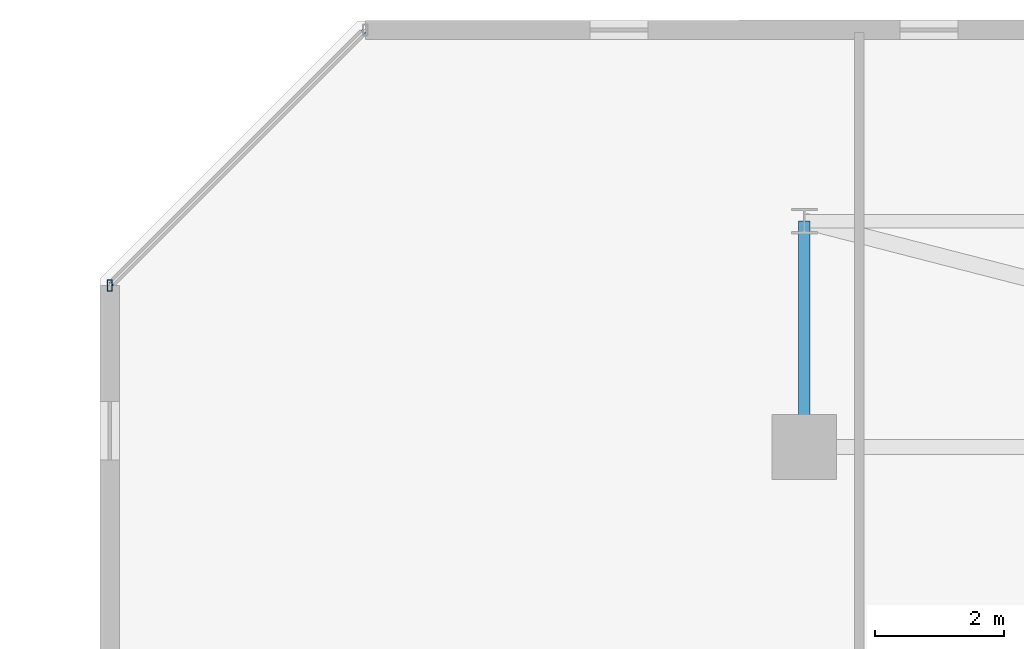
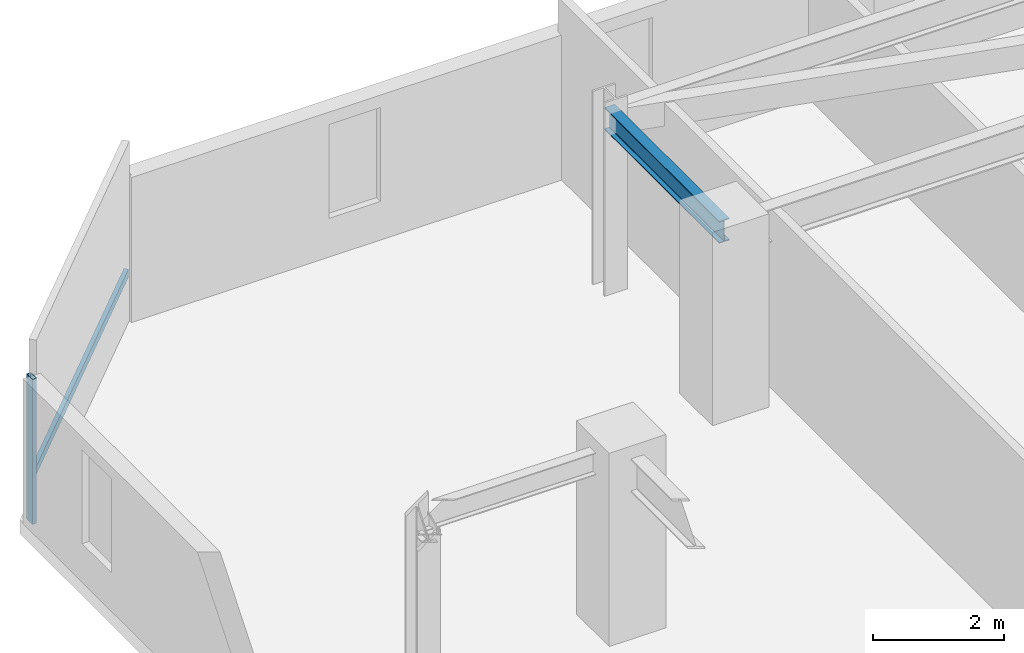
# One storey, part 7 of 33: 2 members, 1 beam, 1 element without a shape of its own.
"""IFC4 building model written with IfcOpenShell, lengths in metres."""

from ifc_helpers import new_model, si_unit, direction, frame, origin, origin_2d, place, context, subcontext, project, spatial, hollow_rectangle, i_section, extrude, material, material_profile, profile_set, type_object, element, aggregate, save


model = new_model("IFC4")

# Units and contexts
model_context = context("Model", 3, precision=1e-05, world=origin(), true_north=direction((0.0, 1.0)))
body_context = subcontext(model_context, "Body", "Model", "MODEL_VIEW")
ifc_project = project(units=[si_unit("LENGTHUNIT", "METRE"), si_unit("AREAUNIT", "SQUARE_METRE"), si_unit("VOLUMEUNIT", "CUBIC_METRE"), si_unit("PLANEANGLEUNIT", "RADIAN"), si_unit("MASSUNIT", "GRAM", prefix="KILO")], contexts=[model_context])

# Site, building, storey
site_placement = place(None, origin())
site = spatial("IfcSite", under=ifc_project, at=site_placement, CompositionType="ELEMENT")
building_placement = place(site_placement, origin())
building = spatial("IfcBuilding", under=site, at=building_placement, Name="Thornwick Lancets Civic Towers", CompositionType="ELEMENT")
storey_placement = place(building_placement, frame((0.0, 0.0, 203.699951171875)))
storey = spatial("IfcBuildingStorey", under=building, at=storey_placement, Name="L54", CompositionType="ELEMENT", Elevation=203.699951171875)

# Beam
ifc_material_1 = material(Name="Steel S355JR", Category="steel")
ifc_material_profile_1 = material_profile(ifc_material_1, i_section(OverallWidth=0.179443359375, OverallDepth=0.412841796875, WebThickness=0.009521484375, FlangeThickness=0.01611328125, FilletRadius=0.01025390625, at=origin_2d()), Name="UKB 406x178x74")
ifc_profile_set_1 = profile_set([ifc_material_profile_1], Name="Steel S355JR")
beam_type = type_object("IfcBeamType", Name="BM_JOIST_406_74", PredefinedType="JOIST", material=ifc_profile_set_1)
beam_placement = place(storey_placement, frame((12.5, 44.300048828125, 3.153564453125), z_axis=(0.0, 1.0, 0.0), x_axis=(-1.0, 0.0, 0.0)))
element("IfcBeam", 1, at=beam_placement, inside=storey, type_object=beam_type, Name="BM-RAD-L54-A07", PredefinedType="JOIST", context=body_context, shape_type="SweptSolid", body=[
    extrude(i_section(OverallWidth=0.179443359375, OverallDepth=0.412841796875, WebThickness=0.009521484375, FlangeThickness=0.01611328125, FilletRadius=0.01025390625, at=origin_2d()), origin(), (0.0, 0.0, 1.0), 3.5),
])

# Curtain wall, members
ifc_material_2 = material(Name="High-zone chamfered-corner unitised glass curtain wall", Category="glass")
curtain_wall_type = type_object("IfcCurtainWallType", Name="CW_SYS_05", PredefinedType="NOTDEFINED", material=ifc_material_2)
curtain_wall_placement = place(storey_placement, origin())
curtain_wall = element("IfcCurtainWall", 2, at=curtain_wall_placement, inside=storey, type_object=curtain_wall_type, Name="L54 Curtain Wall CW-L54-A-E5", PredefinedType="NOTDEFINED")
ifc_material_3 = material(Name="Thermally broken bronze aluminium S355", Category="steel")
ifc_material_profile_2 = material_profile(ifc_material_3, hollow_rectangle(XDim=0.074951171875, YDim=0.179931640625, WallThickness=0.006103515625, at=origin_2d()), Name="RHS 180x75x6")
ifc_profile_set_2 = profile_set([ifc_material_profile_2], Name="Thermally broken bronze aluminium S355")
member_type_1 = type_object("IfcMemberType", Name="CW_MUL_180", PredefinedType="MULLION", material=ifc_profile_set_2)
member_1_placement = place(storey_placement, frame((1.739990234375, 46.8017578125, 0.0), z_axis=(0.0, 0.0, 1.0), x_axis=(1.0, 0.0, 0.0)))
member_1 = element("IfcMember", 3, at=member_1_placement, type_object=member_type_1, Name="CW-L54-A-E5 Mullion 1", PredefinedType="MULLION", context=body_context, shape_type="SweptSolid", body=[
    extrude(hollow_rectangle(XDim=0.074951171875, YDim=0.179931640625, WallThickness=0.006103515625, at=origin_2d()), origin(), (0.0, 0.0, 1.0), 2.699951171875),
])
ifc_material_profile_3 = material_profile(ifc_material_3, hollow_rectangle(XDim=0.074951171875, YDim=0.14990234375, WallThickness=0.0048828125, at=origin_2d()), Name="RHS 150x75x5")
ifc_profile_set_3 = profile_set([ifc_material_profile_3], Name="Thermally broken bronze aluminium S355")
member_type_2 = type_object("IfcMemberType", Name="CW_TRN_150", PredefinedType="USERDEFINED", material=ifc_profile_set_3)
member_2_placement = place(storey_placement, frame((5.68408203125, 50.74609375, 0.85009765625), z_axis=(-0.707106781187, -0.707106781187, 0.0), x_axis=(0.707106781187, -0.707106781187, 0.0)))
member_2 = element("IfcMember", 4, at=member_2_placement, type_object=member_type_2, Name="CW-L54-A-E5 Transom 0", ObjectType="TRANSOM", PredefinedType="USERDEFINED", context=body_context, shape_type="SweptSolid", body=[
    extrude(hollow_rectangle(XDim=0.074951171875, YDim=0.14990234375, WallThickness=0.0048828125, at=origin_2d()), origin(), (0.0, 0.0, 1.0), 5.55810546875),
])
aggregate(curtain_wall, [member_1, member_2])

save(model, "model.ifc")
